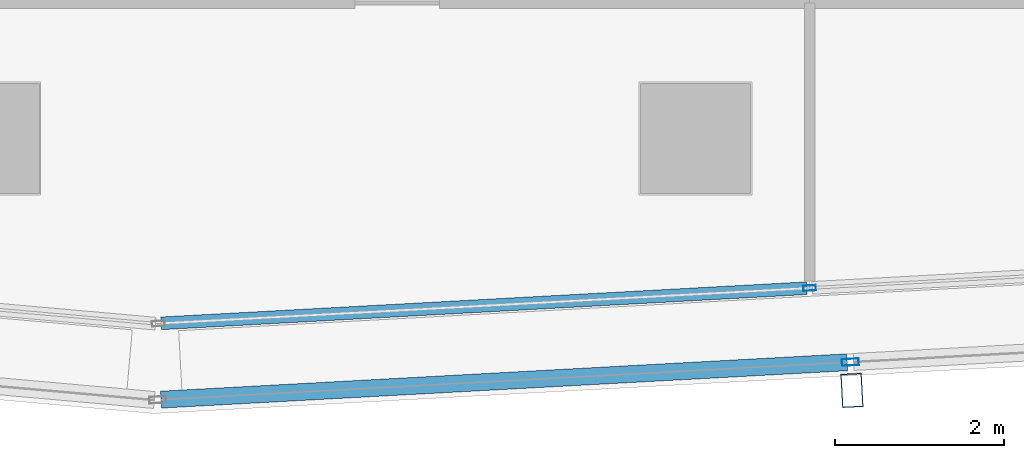
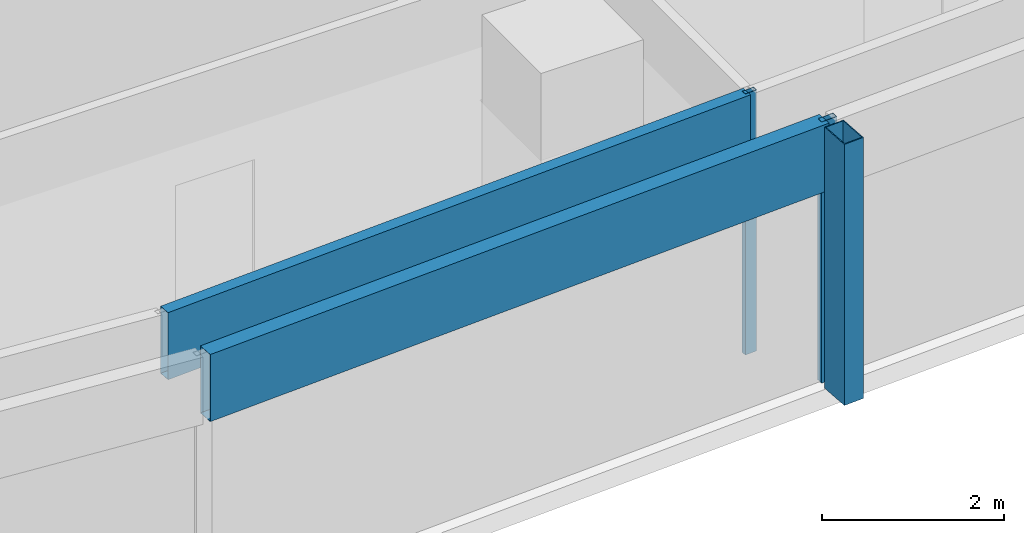
# One storey, part 6 of 30: 5 members, 2 elements without a shape of their own.
"""IFC4 building model written with IfcOpenShell, lengths in metres."""

from ifc_helpers import new_model, si_unit, direction, frame, origin, origin_2d, place, context, subcontext, project, spatial, hollow_rectangle, extrude, material, material_profile, profile_set, type_object, element, aggregate, save


model = new_model("IFC4")

# Units and contexts
model_context = context("Model", 3, precision=1e-05, world=origin(), true_north=direction((0.0, 1.0)))
body_context = subcontext(model_context, "Body", "Model", "MODEL_VIEW")
ifc_project = project(units=[si_unit("LENGTHUNIT", "METRE"), si_unit("AREAUNIT", "SQUARE_METRE"), si_unit("VOLUMEUNIT", "CUBIC_METRE"), si_unit("PLANEANGLEUNIT", "RADIAN"), si_unit("MASSUNIT", "GRAM", prefix="KILO")], contexts=[model_context])

# Site, building, storey
site_placement = place(None, origin())
site = spatial("IfcSite", under=ifc_project, at=site_placement, CompositionType="ELEMENT")
building_placement = place(site_placement, origin())
building = spatial("IfcBuilding", under=site, at=building_placement, Name="Rekha Terrace Tower", CompositionType="ELEMENT")
storey_placement = place(building_placement, frame((0.0, 0.0, 272.60009765625)))
storey = spatial("IfcBuildingStorey", under=building, at=storey_placement, Name="L69", CompositionType="ELEMENT", Elevation=272.60009765625)

# Curtain wall, member
ifc_material_1 = material(Name="Aluminium framing", Category="aluminium")
curtain_wall_type_1 = type_object("IfcCurtainWallType", Name="CW2 double skin outer glazing", PredefinedType="USERDEFINED", material=ifc_material_1)
curtain_wall_1_placement = place(storey_placement, origin())
curtain_wall_1 = element("IfcCurtainWall", 1, at=curtain_wall_1_placement, inside=storey, type_object=curtain_wall_type_1, Name="CW2 double skin outer glazing", ObjectType="DOUBLE SKIN OUTER GLAZING", PredefinedType="USERDEFINED")
ifc_material_2 = material(Name="Steel S355 with fluorocarbon finish", Category="steel")
ifc_material_profile_1 = material_profile(ifc_material_2, hollow_rectangle(XDim=0.25, YDim=0.39990234375, WallThickness=0.012451171875, at=origin_2d()), Name="RHS400x250x12.5")
ifc_profile_set_1 = profile_set([ifc_material_profile_1], Name="Steel S355 with fluorocarbon finish")
member_type_1 = type_object("IfcMemberType", Name="BL1 facade blade RHS 400 x 250", PredefinedType="USERDEFINED", material=ifc_profile_set_1)
member_1_placement = place(storey_placement, frame((35.4482421875, 13.82373046875, 0.0), z_axis=(0.0, 0.0, 1.0), x_axis=(0.99851982155, 0.054389024366, 0.0)))
member_1 = element("IfcMember", 2, at=member_1_placement, type_object=member_type_1, Name="Facade blade", ObjectType="FACADE BLADE", PredefinedType="USERDEFINED", context=body_context, shape_type="SweptSolid", body=[
    extrude(hollow_rectangle(XDim=0.25, YDim=0.39990234375, WallThickness=0.012451171875, at=origin_2d()), origin(), (0.0, 0.0, 1.0), 3.5),
])

# Curtain wall, members
curtain_wall_type_2 = type_object("IfcCurtainWallType", Name="CW1 double skin inner glazing", PredefinedType="USERDEFINED", material=ifc_material_1)
curtain_wall_2_placement = place(storey_placement, origin())
curtain_wall_2 = element("IfcCurtainWall", 3, at=curtain_wall_2_placement, inside=storey, type_object=curtain_wall_type_2, Name="CW1 double skin inner glazing", ObjectType="DOUBLE SKIN INNER GLAZING", PredefinedType="USERDEFINED")
ifc_material_3 = material(Name="Aluminium mullion section", Category="aluminium")
ifc_material_profile_2 = material_profile(ifc_material_3, hollow_rectangle(XDim=0.06494140625, YDim=0.14990234375, WallThickness=0.00390625, at=origin_2d()), Name="AL RHS 65x150")
ifc_profile_set_2 = profile_set([ifc_material_profile_2], Name="Aluminium mullion section")
member_type_2 = type_object("IfcMemberType", Name="CW1 mullion RHS 65 x 150", PredefinedType="MULLION", material=ifc_profile_set_2)
member_2_placement = place(storey_placement, frame((34.94775390625, 15.033447265625, 0.0), z_axis=(0.0, 0.0, 1.0), x_axis=(-0.054388903036, 0.998519828159, 0.0)))
member_2 = element("IfcMember", 4, at=member_2_placement, type_object=member_type_2, Name="CW1 mullion 2", PredefinedType="MULLION", context=body_context, shape_type="SweptSolid", body=[
    extrude(hollow_rectangle(XDim=0.06494140625, YDim=0.14990234375, WallThickness=0.00390625, at=origin_2d()), origin(), (0.0, 0.0, 1.0), 3.5),
])
ifc_material_4 = material(Name="Insulated aluminium spandrel box", Category="aluminium")
ifc_material_profile_3 = material_profile(ifc_material_4, hollow_rectangle(XDim=0.14990234375, YDim=0.89990234375, WallThickness=0.0029296875, at=origin_2d()), Name="AL SPANDREL BOX 150x900")
ifc_profile_set_3 = profile_set([ifc_material_profile_3], Name="Insulated aluminium spandrel box")
member_type_3 = type_object("IfcMemberType", Name="CW1 spandrel transom 150 x 900", PredefinedType="USERDEFINED", material=ifc_profile_set_3)
member_3_placement = place(storey_placement, frame((27.287109375, 14.6162109375, 3.0498046875), z_axis=(0.998521390426, 0.054360213958, 0.0), x_axis=(-0.054360213958, 0.998521390426, 0.0)))
member_3 = element("IfcMember", 5, at=member_3_placement, type_object=member_type_3, Name="CW1 spandrel transom 1", ObjectType="TRANSOM", PredefinedType="USERDEFINED", context=body_context, shape_type="SweptSolid", body=[
    extrude(hollow_rectangle(XDim=0.14990234375, YDim=0.89990234375, WallThickness=0.0029296875, at=origin_2d()), origin(), (0.0, 0.0, 1.0), 7.639404296875),
])
aggregate(curtain_wall_2, [member_2, member_3])

# Member
ifc_material_profile_4 = material_profile(ifc_material_3, hollow_rectangle(XDim=0.080078125, YDim=0.199951171875, WallThickness=0.00390625, at=origin_2d()), Name="AL RHS 80x200")
ifc_profile_set_4 = profile_set([ifc_material_profile_4], Name="Aluminium mullion section")
member_type_4 = type_object("IfcMemberType", Name="CW2 mullion RHS 80 x 200", PredefinedType="MULLION", material=ifc_profile_set_4)
member_4_placement = place(storey_placement, frame((35.429931640625, 14.158203125, 0.0), z_axis=(0.0, 0.0, 1.0), x_axis=(-0.054388903071, 0.998519828157, 0.0)))
member_4 = element("IfcMember", 6, at=member_4_placement, type_object=member_type_4, Name="CW2 mullion 2", PredefinedType="MULLION", context=body_context, shape_type="SweptSolid", body=[
    extrude(hollow_rectangle(XDim=0.080078125, YDim=0.199951171875, WallThickness=0.00390625, at=origin_2d()), origin(), (0.0, 0.0, 1.0), 3.5),
])

ifc_material_profile_5 = material_profile(ifc_material_4, hollow_rectangle(XDim=0.199951171875, YDim=0.89990234375, WallThickness=0.0029296875, at=origin_2d()), Name="AL SPANDREL BOX 200x900")
ifc_profile_set_5 = profile_set([ifc_material_profile_5], Name="Insulated aluminium spandrel box")
member_type_5 = type_object("IfcMemberType", Name="CW2 spandrel transom 200 x 900", PredefinedType="USERDEFINED", material=ifc_profile_set_5)
member_5_placement = place(storey_placement, frame((27.28662109375, 13.71484375, 3.0498046875), z_axis=(0.998521383998, 0.054360332034, 0.0), x_axis=(-0.054360332034, 0.998521383998, 0.0)))
member_5 = element("IfcMember", 7, at=member_5_placement, type_object=member_type_5, Name="CW2 spandrel transom 1", ObjectType="TRANSOM", PredefinedType="USERDEFINED", context=body_context, shape_type="SweptSolid", body=[
    extrude(hollow_rectangle(XDim=0.199951171875, YDim=0.89990234375, WallThickness=0.0029296875, at=origin_2d()), origin(), (0.0, 0.0, 1.0), 8.115478515625),
])

aggregate(curtain_wall_1, [member_4, member_5, member_1])

save(model, "model.ifc")
